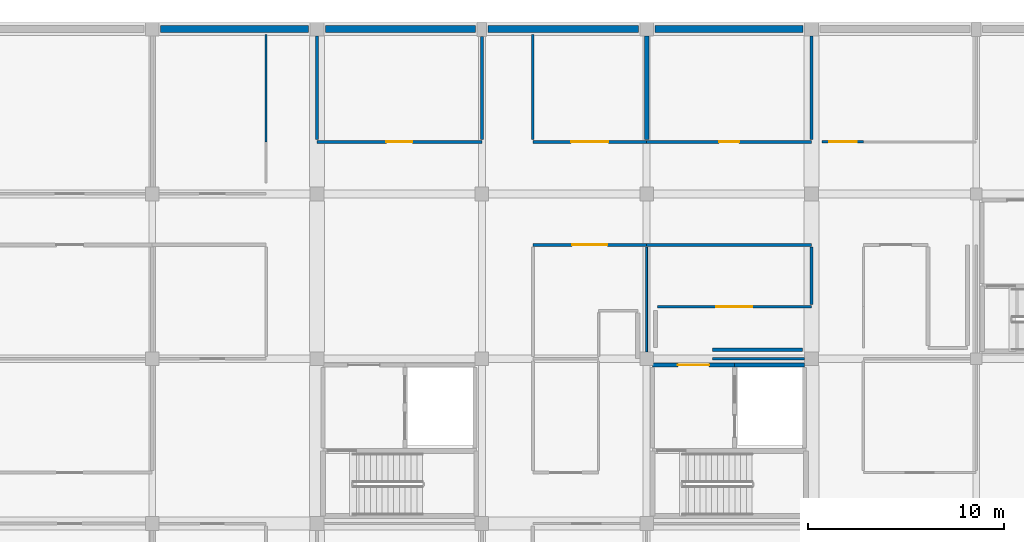
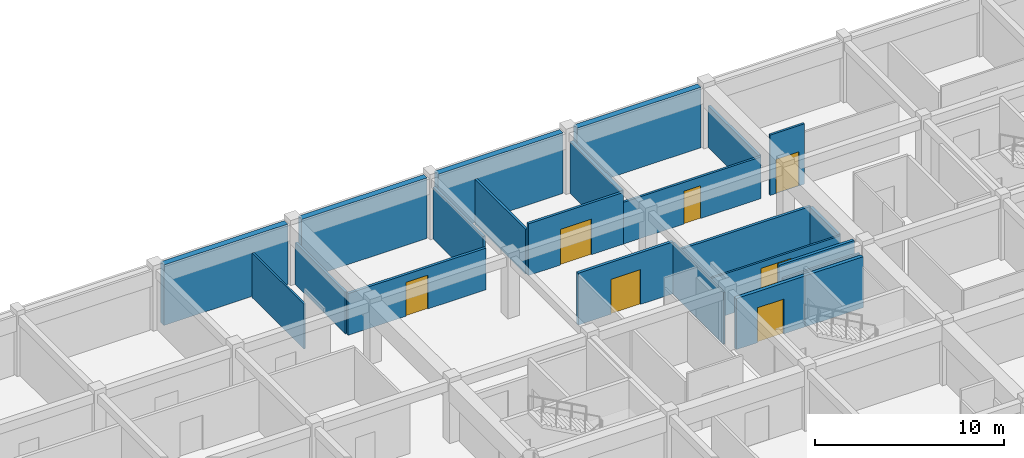
# One storey, part 94 of 119: 23 walls, 7 doors, 7 openings.
"""IFC4 building model written with IfcOpenShell, lengths in metres."""

from ifc_helpers import new_model, si_unit, direction, frame, frame_2d, origin, place, context, subcontext, project, spatial, rectangle, extrude, material, layer, layer_set, type_object, element, fill, save


model = new_model("IFC4")

# Units and contexts
model_context = context("Model", 3, precision=1e-05, world=origin(), true_north=direction((0.0, 1.0)))
body_context = subcontext(model_context, "Body", "Model", "MODEL_VIEW")
ifc_project = project(units=[si_unit("LENGTHUNIT", "METRE"), si_unit("AREAUNIT", "SQUARE_METRE"), si_unit("VOLUMEUNIT", "CUBIC_METRE"), si_unit("PLANEANGLEUNIT", "RADIAN"), si_unit("MASSUNIT", "GRAM", prefix="KILO")], contexts=[model_context])

# Site, building, storey
site_placement = place(None, origin())
site = spatial("IfcSite", under=ifc_project, at=site_placement, CompositionType="ELEMENT")
building_placement = place(site_placement, origin())
building = spatial("IfcBuilding", under=site, at=building_placement, Name="Bramfleet General Hospital", CompositionType="ELEMENT")
storey_placement = place(building_placement, frame((0.0, 0.0, 14.39990234375)))
storey = spatial("IfcBuildingStorey", under=building, at=storey_placement, Name="L03", CompositionType="ELEMENT", Elevation=14.39990234375)

# Walls
ifc_material_1 = material(Name="Concrete C35/45", Category="concrete")
ifc_layer_1 = layer(ifc_material_1, 0.360107421875, Name="WT-EW-02")
ifc_layer_set_1 = layer_set([ifc_layer_1], Name="Concrete C35/45")
wall_type_1 = type_object("IfcWallType", Name="WT-EW-02", PredefinedType="SOLIDWALL", material=ifc_layer_set_1)
wall_1_placement = place(storey_placement, frame((92.824951171875, 117.60009765625, 0.0), z_axis=(0.0, 0.0, 1.0), x_axis=(1.0, 0.0, 0.0)))
element("IfcWall", 1, at=wall_1_placement, inside=storey, type_object=wall_type_1, Name="L03 North REI 90-M Party Wall 248", PredefinedType="SOLIDWALL", context=body_context, shape_type="SweptSolid", body=[
    extrude(rectangle(XDim=7.550048828125, YDim=0.360107421875, at=frame_2d((3.77490234375, 0.0))), origin(), (0.0, 0.0, 1.0), 3.900146484375),
])
wall_2_placement = place(storey_placement, frame((101.22509765625, 117.60009765625, 0.0), z_axis=(0.0, 0.0, 1.0), x_axis=(1.0, 0.0, 0.0)))
element("IfcWall", 2, at=wall_2_placement, inside=storey, type_object=wall_type_1, Name="L03 North REI 90-M Party Wall 249", PredefinedType="SOLIDWALL", context=body_context, shape_type="SweptSolid", body=[
    extrude(rectangle(XDim=7.64990234375, YDim=0.360107421875, at=frame_2d((3.824951171875, 0.0))), origin(), (0.0, 0.0, 1.0), 3.900146484375),
])
wall_3_placement = place(storey_placement, frame((109.52490234375, 117.60009765625, 0.0), z_axis=(0.0, 0.0, 1.0), x_axis=(1.0, 0.0, 0.0)))
element("IfcWall", 3, at=wall_3_placement, inside=storey, type_object=wall_type_1, Name="L03 North REI 90-M Party Wall 250", PredefinedType="SOLIDWALL", context=body_context, shape_type="SweptSolid", body=[
    extrude(rectangle(XDim=7.650146484375, YDim=0.360107421875, at=frame_2d((3.8251953125, 0.0))), origin(), (0.0, 0.0, 1.0), 3.900146484375),
])
wall_4_placement = place(storey_placement, frame((118.02490234375, 117.60009765625, 0.0), z_axis=(0.0, 0.0, 1.0), x_axis=(1.0, 0.0, 0.0)))
element("IfcWall", 4, at=wall_4_placement, inside=storey, type_object=wall_type_1, Name="L03 North REI 90-M Party Wall 251", PredefinedType="SOLIDWALL", context=body_context, shape_type="SweptSolid", body=[
    extrude(rectangle(XDim=7.550048828125, YDim=0.360107421875, at=frame_2d((3.77490234375, 0.0))), origin(), (0.0, 0.0, 1.0), 3.900146484375),
])
ifc_layer_2 = layer(ifc_material_1, 0.219970703125, Name="WT-IW-01")
ifc_layer_set_2 = layer_set([ifc_layer_2], Name="Concrete C35/45")
wall_type_2 = type_object("IfcWallType", Name="WT-IW-01", PredefinedType="PARTITIONING", material=ifc_layer_set_2)
wall_5_placement = place(storey_placement, frame((117.60009765625, 111.965087890625, 0.0), z_axis=(0.0, 0.0, 1.0), x_axis=(0.0, 1.0, 0.0)))
element("IfcWall", 5, at=wall_5_placement, inside=storey, type_object=wall_type_2, Name="L03 Interior Partition IW-L03-2989", PredefinedType="PARTITIONING", context=body_context, shape_type="SweptSolid", body=[
    extrude(rectangle(XDim=5.289794921875, YDim=0.219970703125, at=frame_2d((2.64501953125, 0.0))), origin(), (0.0, 0.0, 1.0), 3.340087890625),
])
ifc_layer_3 = layer(ifc_material_1, 0.205078125, Name="WT-IW-02")
ifc_layer_set_3 = layer_set([ifc_layer_3], Name="Concrete C35/45")
wall_type_3 = type_object("IfcWallType", Name="WT-IW-02", PredefinedType="PARTITIONING", material=ifc_layer_set_3)
wall_6_placement = place(storey_placement, frame((122.080078125, 100.47998046875, 0.0), z_axis=(0.0, 0.0, 1.0), x_axis=(1.0, 0.0, 0.0)))
element("IfcWall", 6, at=wall_6_placement, inside=storey, type_object=wall_type_3, Name="L03 C6 Lift Shaft North Wall", PredefinedType="PARTITIONING", context=body_context, shape_type="SweptSolid", body=[
    extrude(rectangle(XDim=3.56982421875, YDim=0.205078125, at=frame_2d((1.784912109375, 0.0))), origin(), (0.0, 0.0, 1.0), 3.2900390625),
])

# Wall, opening, door
wall_7_placement = place(storey_placement, frame((117.89990234375, 100.47998046875, 0.0), z_axis=(0.0, 0.0, 1.0), x_axis=(1.0, 0.0, 0.0)))
wall_7 = element("IfcWall", 7, at=wall_7_placement, inside=storey, type_object=wall_type_3, Name="L03 C6 Lobby North Compartment Wall", PredefinedType="PARTITIONING", context=body_context, shape_type="SweptSolid", body=[
    extrude(rectangle(XDim=4.18017578125, YDim=0.205078125, at=frame_2d((2.090087890625, 0.0))), origin(), (0.0, 0.0, 1.0), 3.2900390625),
])
opening_1_placement = place(wall_7_placement, frame((1.2900390625, 0.0, 0.0)))
opening_1 = element("IfcOpeningElement", 8, at=opening_1_placement, cuts=wall_7, Name="Opening D0082", PredefinedType="OPENING", context=body_context, shape_type="SweptSolid", body=[
    extrude(rectangle(XDim=1.60009765625, YDim=2.25, at=frame_2d((0.800048828125, 1.125))), frame((0.0, 0.112548828125, 0.0), z_axis=(0.0, -1.0, 0.0), x_axis=(1.0, 0.0, 0.0)), (0.0, 0.0, 1.0), 0.22509765625),
])
ifc_material_2 = material(Name="Stainless steel and acoustic timber leaf", Category="steel")
door_type_1 = type_object("IfcDoorType", Name="DR-D-04", OperationType="NOTDEFINED", PredefinedType="DOOR", material=ifc_material_2)
door_1_placement = place(opening_1_placement, origin())
door_1 = element("IfcDoor", 9, at=door_1_placement, inside=storey, type_object=door_type_1, Name="L03 C6 Lobby Fire Door D0082", OperationType="DOUBLE_SWING_LEFT", OverallHeight=2.25, OverallWidth=1.60009765625, PredefinedType="DOOR", context=body_context, shape_type="SweptSolid", body=[
    extrude(rectangle(XDim=1.60009765625, YDim=2.25, at=frame_2d((0.800048828125, 1.125))), frame((0.0, 0.02490234375, 0.0), z_axis=(0.0, -1.0, 0.0), x_axis=(1.0, 0.0, 0.0)), (0.0, 0.0, 1.0), 0.050048828125),
])
fill(opening_1, door_1)

# Wall
ifc_layer_4 = layer(ifc_material_1, 0.179931640625, Name="WT-IW-04")
ifc_layer_set_4 = layer_set([ifc_layer_4], Name="Concrete C35/45")
wall_type_4 = type_object("IfcWallType", Name="WT-IW-04", PredefinedType="PARTITIONING", material=ifc_layer_set_4)
wall_8_placement = place(storey_placement, frame((120.949951171875, 101.25, 0.0), z_axis=(0.0, 0.0, 1.0), x_axis=(1.0, 0.0, 0.0)))
element("IfcWall", 10, at=wall_8_placement, inside=storey, type_object=wall_type_4, Name="L03 Interior Partition IW-L03-2704", PredefinedType="PARTITIONING", context=body_context, shape_type="SweptSolid", body=[
    extrude(rectangle(XDim=4.60009765625, YDim=0.179931640625, at=frame_2d((2.300048828125, 0.0))), origin(), (0.0, 0.0, 1.0), 3.89013671875),
])

# Wall, opening, door
ifc_material_3 = material(Name="Gypsum plasterboard on acoustic steel studs", Category="steel")
ifc_layer_5 = layer(ifc_material_3, 0.169921875, Name="WT-IW-05")
ifc_layer_set_5 = layer_set([ifc_layer_5], Name="Gypsum plasterboard on acoustic steel studs")
wall_type_5 = type_object("IfcWallType", Name="WT-IW-05", PredefinedType="PARTITIONING", material=ifc_layer_set_5)
wall_9_placement = place(storey_placement, frame((111.800048828125, 106.60009765625, 0.0), z_axis=(0.0, 0.0, 1.0), x_axis=(1.0, 0.0, 0.0)))
wall_9 = element("IfcWall", 11, at=wall_9_placement, inside=storey, type_object=wall_type_5, Name="L03 Interior Partition IW-L03-2729", PredefinedType="PARTITIONING", context=body_context, shape_type="SweptSolid", body=[
    extrude(rectangle(XDim=5.800048828125, YDim=0.169921875, at=frame_2d((2.89990234375, 0.0))), origin(), (0.0, 0.0, 1.0), 3.340087890625),
])
opening_2_placement = place(wall_9_placement, frame((2.0, 0.0, 0.0)))
opening_2 = element("IfcOpeningElement", 12, at=opening_2_placement, cuts=wall_9, Name="Opening D1157", PredefinedType="OPENING", context=body_context, shape_type="SweptSolid", body=[
    extrude(rectangle(XDim=1.800048828125, YDim=2.25, at=frame_2d((0.89990234375, 1.125))), frame((0.0, 0.094970703125, 0.0), z_axis=(0.0, -1.0, 0.0), x_axis=(1.0, 0.0, 0.0)), (0.0, 0.0, 1.0), 0.18994140625),
])
door_type_2 = type_object("IfcDoorType", Name="DR-D-05", OperationType="NOTDEFINED", PredefinedType="DOOR", material=ifc_material_2)
door_2_placement = place(opening_2_placement, origin())
door_2 = element("IfcDoor", 13, at=door_2_placement, inside=storey, type_object=door_type_2, Name="Maternity Delivery Suite and Clinical Lab L03-1312 Door D1157", OperationType="DOUBLE_SWING_RIGHT", OverallHeight=2.25, OverallWidth=1.800048828125, PredefinedType="DOOR", context=body_context, shape_type="SweptSolid", body=[
    extrude(rectangle(XDim=1.800048828125, YDim=2.25, at=frame_2d((0.89990234375, 1.125))), frame((0.0, 0.02490234375, 0.0), z_axis=(0.0, -1.0, 0.0), x_axis=(1.0, 0.0, 0.0)), (0.0, 0.0, 1.0), 0.050048828125),
])
fill(opening_2, door_2)

# Walls
wall_10_placement = place(storey_placement, frame((126.0, 103.56494140625, 0.0), z_axis=(0.0, 0.0, 1.0), x_axis=(0.0, 1.0, 0.0)))
element("IfcWall", 14, at=wall_10_placement, inside=storey, type_object=wall_type_5, Name="L03 Interior Partition IW-L03-3005", PredefinedType="PARTITIONING", context=body_context, shape_type="SweptSolid", body=[
    extrude(rectangle(XDim=2.920166015625, YDim=0.169921875, at=frame_2d((1.4599609375, 0.0))), origin(), (0.0, 0.0, 1.0), 2.690185546875),
])
ifc_layer_6 = layer(ifc_material_3, 0.159912109375, Name="WT-IW-06")
ifc_layer_set_6 = layer_set([ifc_layer_6], Name="Gypsum plasterboard on acoustic steel studs")
wall_type_6 = type_object("IfcWallType", Name="WT-IW-06", PredefinedType="PARTITIONING", material=ifc_layer_set_6)
wall_11_placement = place(storey_placement, frame((117.60009765625, 106.60009765625, 0.0), z_axis=(0.0, 0.0, 1.0), x_axis=(1.0, 0.0, 0.0)))
element("IfcWall", 15, at=wall_11_placement, inside=storey, type_object=wall_type_6, Name="L03 Interior Partition IW-L03-2730", PredefinedType="PARTITIONING", context=body_context, shape_type="SweptSolid", body=[
    extrude(rectangle(XDim=8.39990234375, YDim=0.159912109375, at=frame_2d((4.199951171875, 0.0))), origin(), (0.0, 0.0, 1.0), 2.690185546875),
])

# Wall, opening, door
wall_12_placement = place(storey_placement, frame((100.800048828125, 111.85009765625, 0.0), z_axis=(0.0, 0.0, 1.0), x_axis=(1.0, 0.0, 0.0)))
wall_12 = element("IfcWall", 16, at=wall_12_placement, inside=storey, type_object=wall_type_6, Name="L03 Interior Partition IW-L03-2754", PredefinedType="PARTITIONING", context=body_context, shape_type="SweptSolid", body=[
    extrude(rectangle(XDim=8.39990234375, YDim=0.159912109375, at=frame_2d((4.199951171875, 0.0))), origin(), (0.0, 0.0, 1.0), 2.690185546875),
])
opening_3_placement = place(wall_12_placement, frame((3.5400390625, 0.0, 0.0)))
opening_3 = element("IfcOpeningElement", 17, at=opening_3_placement, cuts=wall_12, Name="Opening D1144", PredefinedType="OPENING", context=body_context, shape_type="SweptSolid", body=[
    extrude(rectangle(XDim=1.320068359375, YDim=2.179931640625, at=frame_2d((0.66015625, 1.08984375))), frame((0.0, 0.08984375, 0.0), z_axis=(0.0, -1.0, 0.0), x_axis=(1.0, 0.0, 0.0)), (0.0, 0.0, 1.0), 0.179931640625),
])
door_type_3 = type_object("IfcDoorType", Name="DR-D-24", OperationType="NOTDEFINED", PredefinedType="DOOR", material=ifc_material_2)
door_3_placement = place(opening_3_placement, origin())
door_3 = element("IfcDoor", 18, at=door_3_placement, inside=storey, type_object=door_type_3, Name="Maternity Delivery Suite and Clinical Lab L03-1213 Door D1144", OperationType="SINGLE_SWING_LEFT", OverallHeight=2.179931640625, OverallWidth=1.320068359375, PredefinedType="DOOR", context=body_context, shape_type="SweptSolid", body=[
    extrude(rectangle(XDim=1.320068359375, YDim=2.179931640625, at=frame_2d((0.66015625, 1.08984375))), frame((0.0, 0.02490234375, 0.0), z_axis=(0.0, -1.0, 0.0), x_axis=(1.0, 0.0, 0.0)), (0.0, 0.0, 1.0), 0.050048828125),
])
fill(opening_3, door_3)

# Wall
wall_13_placement = place(storey_placement, frame((126.0, 111.965087890625, 0.0), z_axis=(0.0, 0.0, 1.0), x_axis=(0.0, 1.0, 0.0)))
element("IfcWall", 19, at=wall_13_placement, inside=storey, type_object=wall_type_6, Name="L03 Interior Partition IW-L03-3006", PredefinedType="PARTITIONING", context=body_context, shape_type="SweptSolid", body=[
    extrude(rectangle(XDim=5.289794921875, YDim=0.159912109375, at=frame_2d((2.64501953125, 0.0))), origin(), (0.0, 0.0, 1.0), 2.690185546875),
])

# Wall, opening, door
ifc_layer_7 = layer(ifc_material_3, 0.14990234375, Name="WT-IW-07")
ifc_layer_set_7 = layer_set([ifc_layer_7], Name="Gypsum plasterboard on acoustic steel studs")
wall_type_7 = type_object("IfcWallType", Name="WT-IW-07", PredefinedType="PARTITIONING", material=ifc_layer_set_7)
wall_14_placement = place(storey_placement, frame((111.800048828125, 111.85009765625, 0.0), z_axis=(0.0, 0.0, 1.0), x_axis=(1.0, 0.0, 0.0)))
wall_14 = element("IfcWall", 20, at=wall_14_placement, inside=storey, type_object=wall_type_7, Name="L03 Interior Partition IW-L03-2755", PredefinedType="PARTITIONING", context=body_context, shape_type="SweptSolid", body=[
    extrude(rectangle(XDim=5.800048828125, YDim=0.14990234375, at=frame_2d((2.89990234375, 0.0))), origin(), (0.0, 0.0, 1.0), 3.340087890625),
])
opening_4_placement = place(wall_14_placement, frame((1.949951171875, 0.0, 0.0)))
opening_4 = element("IfcOpeningElement", 21, at=opening_4_placement, cuts=wall_14, Name="Opening D1158", PredefinedType="OPENING", context=body_context, shape_type="SweptSolid", body=[
    extrude(rectangle(XDim=1.89990234375, YDim=2.300048828125, at=frame_2d((0.949951171875, 1.14990234375))), frame((0.0, 0.0849609375, 0.0), z_axis=(0.0, -1.0, 0.0), x_axis=(1.0, 0.0, 0.0)), (0.0, 0.0, 1.0), 0.169921875),
])
door_type_4 = type_object("IfcDoorType", Name="DR-D-06", OperationType="NOTDEFINED", PredefinedType="DOOR", material=ifc_material_2)
door_4_placement = place(opening_4_placement, origin())
door_4 = element("IfcDoor", 22, at=door_4_placement, inside=storey, type_object=door_type_4, Name="Maternity Delivery Suite and Clinical Lab L03-1313 Door D1158", OperationType="DOUBLE_SWING_LEFT", OverallHeight=2.300048828125, OverallWidth=1.89990234375, PredefinedType="DOOR", context=body_context, shape_type="SweptSolid", body=[
    extrude(rectangle(XDim=1.89990234375, YDim=2.300048828125, at=frame_2d((0.949951171875, 1.14990234375))), frame((0.0, 0.02490234375, 0.0), z_axis=(0.0, -1.0, 0.0), x_axis=(1.0, 0.0, 0.0)), (0.0, 0.0, 1.0), 0.050048828125),
])
fill(opening_4, door_4)

# Wall
wall_15_placement = place(storey_placement, frame((109.199951171875, 111.965087890625, 0.0), z_axis=(0.0, 0.0, 1.0), x_axis=(0.0, 1.0, 0.0)))
element("IfcWall", 23, at=wall_15_placement, inside=storey, type_object=wall_type_7, Name="L03 Interior Partition IW-L03-2959", PredefinedType="PARTITIONING", context=body_context, shape_type="SweptSolid", body=[
    extrude(rectangle(XDim=5.264892578125, YDim=0.14990234375, at=frame_2d((2.63232421875, 0.0))), origin(), (0.0, 0.0, 1.0), 3.340087890625),
])

# Wall, opening, door
ifc_layer_8 = layer(ifc_material_3, 0.139892578125, Name="WT-IW-08")
ifc_layer_set_8 = layer_set([ifc_layer_8], Name="Gypsum plasterboard on acoustic steel studs")
wall_type_8 = type_object("IfcWallType", Name="WT-IW-08", PredefinedType="PARTITIONING", material=ifc_layer_set_8)
wall_16_placement = place(storey_placement, frame((117.60009765625, 111.85009765625, 0.0), z_axis=(0.0, 0.0, 1.0), x_axis=(1.0, 0.0, 0.0)))
wall_16 = element("IfcWall", 24, at=wall_16_placement, inside=storey, type_object=wall_type_8, Name="L03 Interior Partition IW-L03-2756", PredefinedType="PARTITIONING", context=body_context, shape_type="SweptSolid", body=[
    extrude(rectangle(XDim=8.39990234375, YDim=0.139892578125, at=frame_2d((4.199951171875, 0.0))), origin(), (0.0, 0.0, 1.0), 2.690185546875),
])
opening_5_placement = place(wall_16_placement, frame((3.68994140625, 0.0, 0.0)))
opening_5 = element("IfcOpeningElement", 25, at=opening_5_placement, cuts=wall_16, Name="Opening D1173", PredefinedType="OPENING", context=body_context, shape_type="SweptSolid", body=[
    extrude(rectangle(XDim=1.02001953125, YDim=2.1201171875, at=frame_2d((0.510009765625, 1.06005859375))), frame((0.0, 0.079833984375, 0.0), z_axis=(0.0, -1.0, 0.0), x_axis=(1.0, 0.0, 0.0)), (0.0, 0.0, 1.0), 0.159912109375),
])
door_type_5 = type_object("IfcDoorType", Name="DR-D-21", OperationType="NOTDEFINED", PredefinedType="DOOR", material=ifc_material_2)
door_5_placement = place(opening_5_placement, origin())
door_5 = element("IfcDoor", 26, at=door_5_placement, inside=storey, type_object=door_type_5, Name="Maternity Delivery Suite and Clinical Lab L03-1413 Door D1173", OperationType="SINGLE_SWING_RIGHT", OverallHeight=2.1201171875, OverallWidth=1.02001953125, PredefinedType="DOOR", context=body_context, shape_type="SweptSolid", body=[
    extrude(rectangle(XDim=1.02001953125, YDim=2.1201171875, at=frame_2d((0.510009765625, 1.06005859375))), frame((0.0, 0.02490234375, 0.0), z_axis=(0.0, -1.0, 0.0), x_axis=(1.0, 0.0, 0.0)), (0.0, 0.0, 1.0), 0.050048828125),
])
fill(opening_5, door_5)

# Walls
wall_17_placement = place(storey_placement, frame((100.800048828125, 111.965087890625, 0.0), z_axis=(0.0, 0.0, 1.0), x_axis=(0.0, 1.0, 0.0)))
element("IfcWall", 27, at=wall_17_placement, inside=storey, type_object=wall_type_8, Name="L03 Interior Partition IW-L03-2948", PredefinedType="PARTITIONING", context=body_context, shape_type="SweptSolid", body=[
    extrude(rectangle(XDim=5.289794921875, YDim=0.139892578125, at=frame_2d((2.64501953125, 0.0))), origin(), (0.0, 0.0, 1.0), 2.690185546875),
])
wall_18_placement = place(storey_placement, frame((111.800048828125, 111.965087890625, 0.0), z_axis=(0.0, 0.0, 1.0), x_axis=(0.0, 1.0, 0.0)))
element("IfcWall", 28, at=wall_18_placement, inside=storey, type_object=wall_type_8, Name="L03 Interior Partition IW-L03-2972", PredefinedType="PARTITIONING", context=body_context, shape_type="SweptSolid", body=[
    extrude(rectangle(XDim=5.35498046875, YDim=0.139892578125, at=frame_2d((2.677490234375, 0.0))), origin(), (0.0, 0.0, 1.0), 2.89013671875),
])

# Wall, opening, door
ifc_layer_9 = layer(ifc_material_3, 0.1298828125, Name="WT-IW-09")
ifc_layer_set_9 = layer_set([ifc_layer_9], Name="Gypsum plasterboard on acoustic steel studs")
wall_type_9 = type_object("IfcWallType", Name="WT-IW-09", PredefinedType="PARTITIONING", material=ifc_layer_set_9)
wall_19_placement = place(storey_placement, frame((126.550048828125, 111.85009765625, 0.0), z_axis=(0.0, 0.0, 1.0), x_axis=(1.0, 0.0, 0.0)))
wall_19 = element("IfcWall", 29, at=wall_19_placement, inside=storey, type_object=wall_type_9, Name="L03 Interior Partition IW-L03-2757", PredefinedType="PARTITIONING", context=body_context, shape_type="SweptSolid", body=[
    extrude(rectangle(XDim=2.099853515625, YDim=0.1298828125, at=frame_2d((1.0498046875, 0.0))), origin(), (0.0, 0.0, 1.0), 3.89013671875),
])
opening_6_placement = place(wall_19_placement, frame((0.35009765625, 0.0, 0.0)))
opening_6 = element("IfcOpeningElement", 30, at=opening_6_placement, cuts=wall_19, Name="Opening D1185", PredefinedType="OPENING", context=body_context, shape_type="SweptSolid", body=[
    extrude(rectangle(XDim=1.39990234375, YDim=2.199951171875, at=frame_2d((0.699951171875, 1.10009765625))), frame((0.0, 0.074951171875, 0.0), z_axis=(0.0, -1.0, 0.0), x_axis=(1.0, 0.0, 0.0)), (0.0, 0.0, 1.0), 0.14990234375),
])
door_type_6 = type_object("IfcDoorType", Name="DR-D-01", OperationType="NOTDEFINED", PredefinedType="DOOR", material=ifc_material_2)
door_6_placement = place(opening_6_placement, origin())
door_6 = element("IfcDoor", 31, at=door_6_placement, inside=storey, type_object=door_type_6, Name="Maternity Delivery Suite and Clinical Lab L03-1513 Door D1185", OperationType="SINGLE_SWING_RIGHT", OverallHeight=2.199951171875, OverallWidth=1.39990234375, PredefinedType="DOOR", context=body_context, shape_type="SweptSolid", body=[
    extrude(rectangle(XDim=1.39990234375, YDim=2.199951171875, at=frame_2d((0.699951171875, 1.10009765625))), frame((0.0, 0.02490234375, 0.0), z_axis=(0.0, -1.0, 0.0), x_axis=(1.0, 0.0, 0.0)), (0.0, 0.0, 1.0), 0.050048828125),
])
fill(opening_6, door_6)

# Wall
ifc_layer_10 = layer(ifc_material_3, 0.1201171875, Name="WT-IW-10")
ifc_layer_set_10 = layer_set([ifc_layer_10], Name="Gypsum plasterboard on acoustic steel studs")
wall_type_10 = type_object("IfcWallType", Name="WT-IW-10", PredefinedType="PARTITIONING", material=ifc_layer_set_10)
wall_20_placement = place(storey_placement, frame((120.949951171875, 100.800048828125, 0.0), z_axis=(0.0, 0.0, 1.0), x_axis=(1.0, 0.0, 0.0)))
element("IfcWall", 32, at=wall_20_placement, inside=storey, type_object=wall_type_10, Name="L03 Interior Partition IW-L03-2698", PredefinedType="PARTITIONING", context=body_context, shape_type="SweptSolid", body=[
    extrude(rectangle(XDim=4.705078125, YDim=0.1201171875, at=frame_2d((2.3525390625, 0.0))), origin(), (0.0, 0.0, 1.0), 3.2900390625),
])

# Wall, opening, door
wall_21_placement = place(storey_placement, frame((118.14990234375, 103.449951171875, 0.0), z_axis=(0.0, 0.0, 1.0), x_axis=(1.0, 0.0, 0.0)))
wall_21 = element("IfcWall", 33, at=wall_21_placement, inside=storey, type_object=wall_type_10, Name="L03 Interior Partition IW-L03-2710", PredefinedType="PARTITIONING", context=body_context, shape_type="SweptSolid", body=[
    extrude(rectangle(XDim=7.85009765625, YDim=0.1201171875, at=frame_2d((3.925048828125, 0.0))), origin(), (0.0, 0.0, 1.0), 2.690185546875),
])
opening_7_placement = place(wall_21_placement, frame((3.0048828125, 0.0, 0.0)))
opening_7 = element("IfcOpeningElement", 34, at=opening_7_placement, cuts=wall_21, Name="Opening D1172", PredefinedType="OPENING", context=body_context, shape_type="SweptSolid", body=[
    extrude(rectangle(XDim=1.840087890625, YDim=2.280029296875, at=frame_2d((0.919921875, 1.14013671875))), frame((0.0, 0.070068359375, 0.0), z_axis=(0.0, -1.0, 0.0), x_axis=(1.0, 0.0, 0.0)), (0.0, 0.0, 1.0), 0.14013671875),
])
door_type_7 = type_object("IfcDoorType", Name="DR-D-20", OperationType="NOTDEFINED", PredefinedType="DOOR", material=ifc_material_2)
door_7_placement = place(opening_7_placement, origin())
door_7 = element("IfcDoor", 35, at=door_7_placement, inside=storey, type_object=door_type_7, Name="Maternity Delivery Suite and Clinical Lab L03-1412 Door D1172", OperationType="DOUBLE_SWING_LEFT", OverallHeight=2.280029296875, OverallWidth=1.840087890625, PredefinedType="DOOR", context=body_context, shape_type="SweptSolid", body=[
    extrude(rectangle(XDim=1.840087890625, YDim=2.280029296875, at=frame_2d((0.919921875, 1.14013671875))), frame((0.0, 0.02490234375, 0.0), z_axis=(0.0, -1.0, 0.0), x_axis=(1.0, 0.0, 0.0)), (0.0, 0.0, 1.0), 0.050048828125),
])
fill(opening_7, door_7)

# Walls
ifc_layer_11 = layer(ifc_material_3, 0.112060546875, Name="WT-IW-11")
ifc_layer_set_11 = layer_set([ifc_layer_11], Name="Gypsum plasterboard on acoustic steel studs")
wall_type_11 = type_object("IfcWallType", Name="WT-IW-11", PredefinedType="PARTITIONING", material=ifc_layer_set_11)
wall_22_placement = place(storey_placement, frame((98.199951171875, 111.85009765625, 0.0), z_axis=(0.0, 0.0, 1.0), x_axis=(0.0, 1.0, 0.0)))
element("IfcWall", 36, at=wall_22_placement, inside=storey, type_object=wall_type_11, Name="L03 Interior Partition IW-L03-2939", PredefinedType="PARTITIONING", context=body_context, shape_type="SweptSolid", body=[
    extrude(rectangle(XDim=5.469970703125, YDim=0.112060546875, at=frame_2d((2.73486328125, 0.0))), origin(), (0.0, 0.0, 1.0), 2.89013671875),
])
ifc_layer_12 = layer(ifc_material_3, 0.10009765625, Name="WT-IW-12")
ifc_layer_set_12 = layer_set([ifc_layer_12], Name="Gypsum plasterboard on acoustic steel studs")
wall_type_12 = type_object("IfcWallType", Name="WT-IW-12", PredefinedType="PARTITIONING", material=ifc_layer_set_12)
wall_23_placement = place(storey_placement, frame((117.60009765625, 101.14501953125, 0.0), z_axis=(0.0, 0.0, 1.0), x_axis=(0.0, 1.0, 0.0)))
element("IfcWall", 37, at=wall_23_placement, inside=storey, type_object=wall_type_12, Name="L03 Interior Partition IW-L03-2988", PredefinedType="PARTITIONING", context=body_context, shape_type="SweptSolid", body=[
    extrude(rectangle(XDim=5.340087890625, YDim=0.10009765625, at=frame_2d((2.669921875, 0.0))), origin(), (0.0, 0.0, 1.0), 3.340087890625),
])

save(model, "model.ifc")
